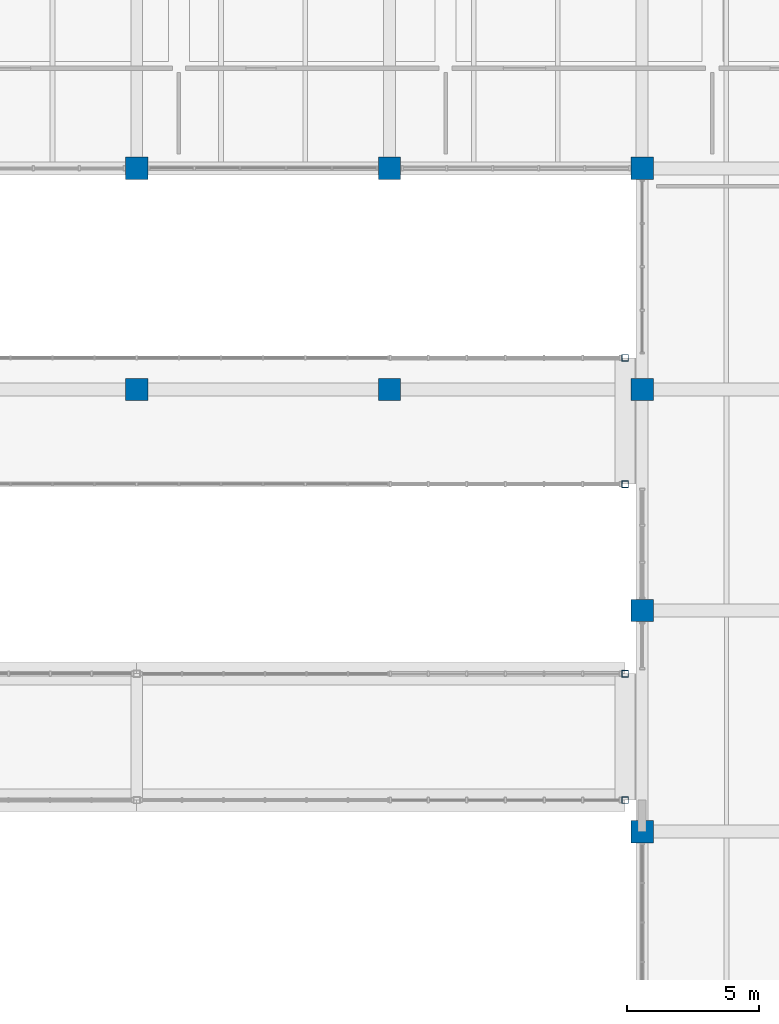
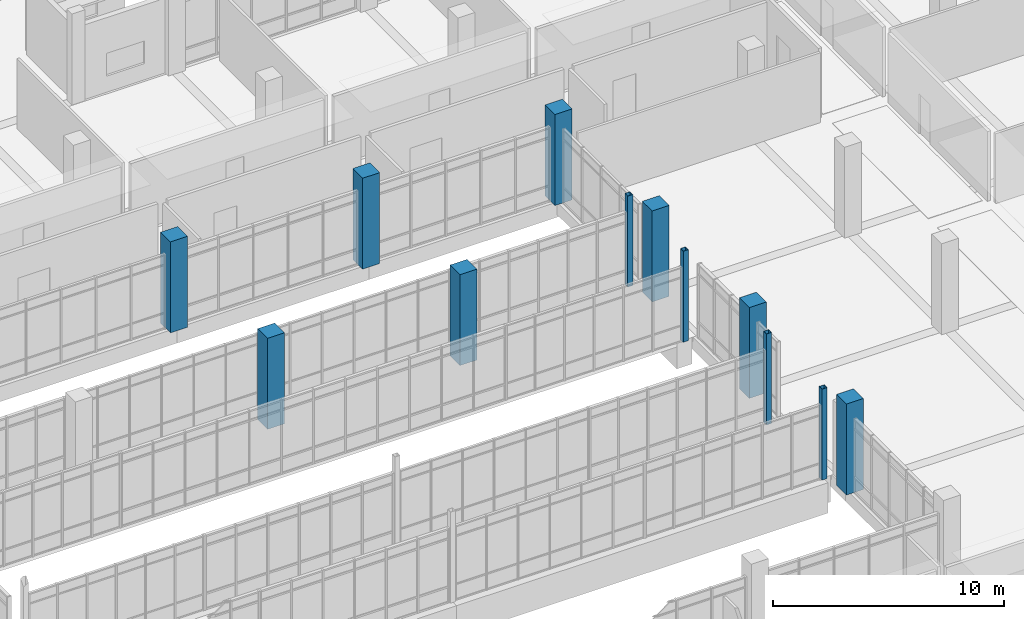
# One storey, part 5 of 152: 12 columns.
"""IFC4 building model written with IfcOpenShell, lengths in metres."""

from ifc_helpers import new_model, si_unit, direction, frame, origin, origin_2d, place, context, subcontext, project, spatial, rectangle, hollow_rectangle, extrude, material, material_profile, profile_set, type_object, element, save


model = new_model("IFC4")

# Units and contexts
model_context = context("Model", 3, precision=1e-05, world=origin(), true_north=direction((0.0, 1.0)))
body_context = subcontext(model_context, "Body", "Model", "MODEL_VIEW")
ifc_project = project(units=[si_unit("LENGTHUNIT", "METRE"), si_unit("AREAUNIT", "SQUARE_METRE"), si_unit("VOLUMEUNIT", "CUBIC_METRE"), si_unit("PLANEANGLEUNIT", "RADIAN"), si_unit("MASSUNIT", "GRAM", prefix="KILO")], contexts=[model_context])

# Site, building, storey
site_placement = place(None, origin())
site = spatial("IfcSite", under=ifc_project, at=site_placement, CompositionType="ELEMENT")
building_placement = place(site_placement, origin())
building = spatial("IfcBuilding", under=site, at=building_placement, Name="Oolite Switchyard Hospital", CompositionType="ELEMENT")
storey_placement = place(building_placement, frame((0.0, 0.0, 5.10009765625)))
storey = spatial("IfcBuildingStorey", under=building, at=storey_placement, Name="L01", CompositionType="ELEMENT", Elevation=5.10009765625)

# Columns
ifc_material_1 = material(Name="Steel ASTM A500 Grade C", Category="steel")
ifc_material_profile_1 = material_profile(ifc_material_1, hollow_rectangle(XDim=0.25390625, YDim=0.25390625, WallThickness=0.012939453125, at=origin_2d()), Name="HSS254X254X13")
ifc_profile_set_1 = profile_set([ifc_material_profile_1], Name="Steel ASTM A500 Grade C")
column_type_1 = type_object("IfcColumnType", Name="COL-HSS254", PredefinedType="COLUMN", material=ifc_profile_set_1)
for number, where, z_axis, x_axis, name in (
    (1, (181.75, 34.800048828125, 0.0), (0.0, 0.0, 1.0), (1.0, 0.0, 0.0), "L01 Column 587"),
    (2, (181.75, 39.60009765625, 0.0), (0.0, 0.0, 1.0), (1.0, 0.0, 0.0), "L01 Column 588"),
    (3, (181.75, 46.800048828125, 0.0), (0.0, 0.0, 1.0), (1.0, 0.0, 0.0), "L01 Column 589"),
    (4, (181.75, 51.60009765625, 0.0), (0.0, 0.0, 1.0), (1.0, 0.0, 0.0), "L01 Column 590"),
):
    element("IfcColumn", number, at=place(storey_placement, frame(where, z_axis=z_axis, x_axis=x_axis)), inside=storey, type_object=column_type_1, Name=name, PredefinedType="COLUMN", context=body_context, shape_type="SweptSolid", body=[
        extrude(hollow_rectangle(XDim=0.25390625, YDim=0.25390625, WallThickness=0.012939453125, at=origin_2d()), origin(), (0.0, 0.0, 1.0), 4.7998046875),
    ])
ifc_material_2 = material(Name="Concrete C50/60", Category="concrete")
ifc_material_profile_2 = material_profile(ifc_material_2, rectangle(XDim=0.85009765625, YDim=0.85009765625, at=origin_2d()), Name="RC850X850")
ifc_profile_set_2 = profile_set([ifc_material_profile_2], Name="Concrete C50/60")
column_type_2 = type_object("IfcColumnType", Name="COL-RC850", PredefinedType="COLUMN", material=ifc_profile_set_2)
for number, where, z_axis, x_axis, name in (
    (5, (163.199951171875, 50.39990234375, 0.0), (0.0, 0.0, 1.0), (1.0, 0.0, 0.0), "L01 Column 562"),
    (6, (163.199951171875, 58.800048828125, 0.0), (0.0, 0.0, 1.0), (1.0, 0.0, 0.0), "L01 Column 563"),
    (7, (172.800048828125, 50.39990234375, 0.0), (0.0, 0.0, 1.0), (1.0, 0.0, 0.0), "L01 Column 576"),
    (8, (172.800048828125, 58.800048828125, 0.0), (0.0, 0.0, 1.0), (1.0, 0.0, 0.0), "L01 Column 577"),
    (9, (182.39990234375, 33.60009765625, 0.0), (0.0, 0.0, 1.0), (1.0, 0.0, 0.0), "L01 Column 594"),
    (10, (182.39990234375, 42.0, 0.0), (0.0, 0.0, 1.0), (1.0, 0.0, 0.0), "L01 Column 595"),
    (11, (182.39990234375, 50.39990234375, 0.0), (0.0, 0.0, 1.0), (1.0, 0.0, 0.0), "L01 Column 596"),
    (12, (182.39990234375, 58.800048828125, 0.0), (0.0, 0.0, 1.0), (1.0, 0.0, 0.0), "L01 Column 597"),
):
    element("IfcColumn", number, at=place(storey_placement, frame(where, z_axis=z_axis, x_axis=x_axis)), inside=storey, type_object=column_type_2, Name=name, PredefinedType="COLUMN", context=body_context, shape_type="SweptSolid", body=[
        extrude(rectangle(XDim=0.85009765625, YDim=0.85009765625, at=origin_2d()), origin(), (0.0, 0.0, 1.0), 4.7998046875),
    ])

save(model, "model.ifc")
